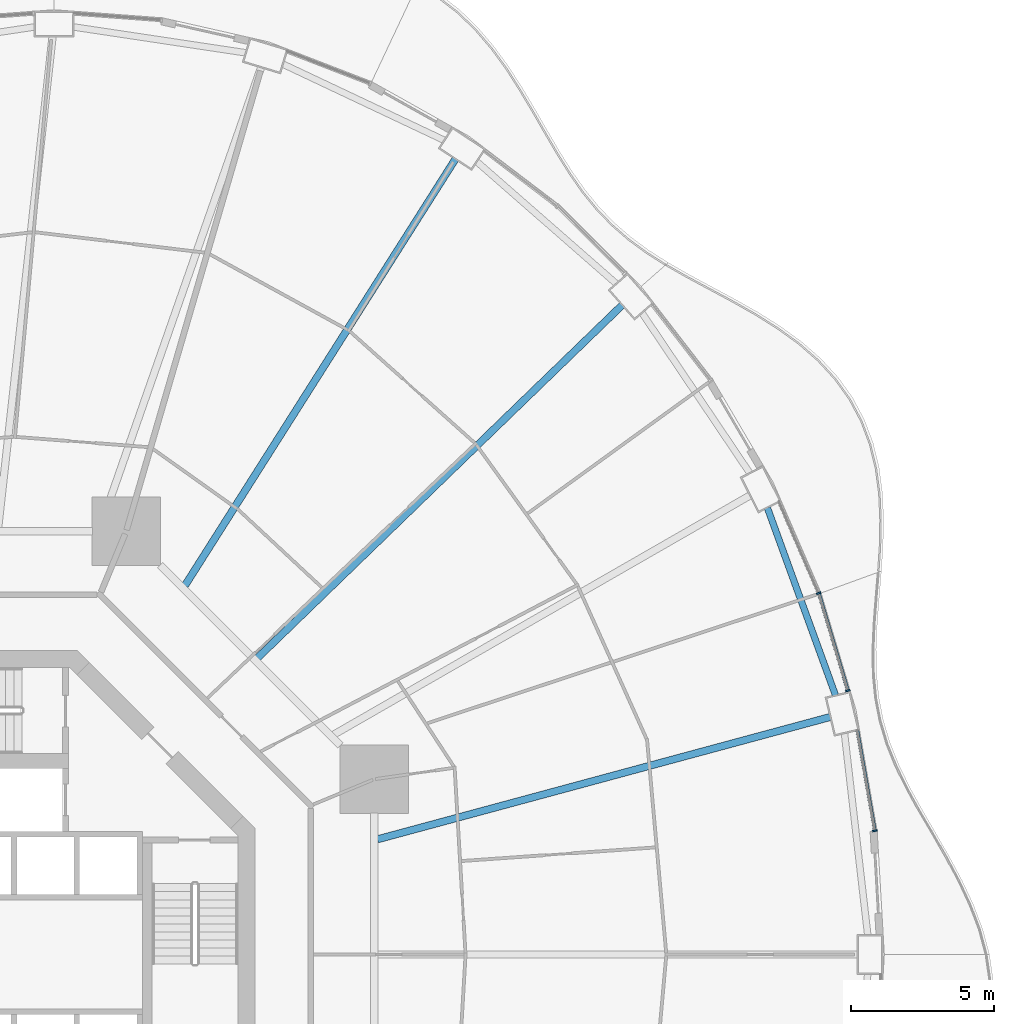
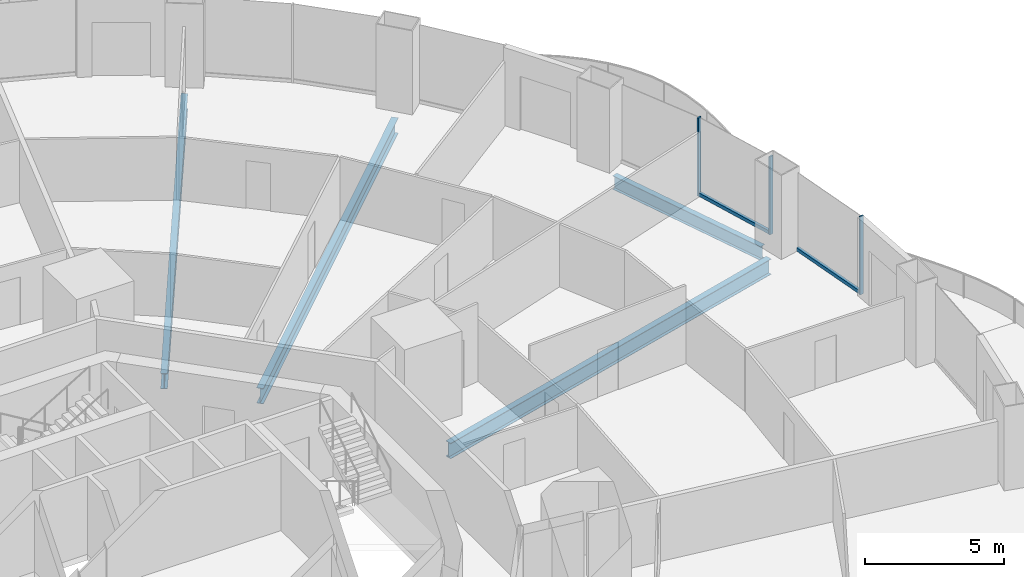
# One storey, part 9 of 22: 5 members, 4 beams, 3 elements without a shape of their own.
"""IFC4 building model written with IfcOpenShell, lengths in metres."""

from ifc_helpers import new_model, si_unit, direction, frame, origin, origin_2d, place, context, subcontext, project, spatial, rectangle, i_section, extrude, material, layer, layer_set, material_profile, profile_set, type_object, element, aggregate, save


model = new_model("IFC4")

# Units and contexts
model_context = context("Model", 3, precision=1e-05, world=origin(), true_north=direction((0.0, 1.0)))
body_context = subcontext(model_context, "Body", "Model", "MODEL_VIEW")
ifc_project = project(units=[si_unit("LENGTHUNIT", "METRE"), si_unit("AREAUNIT", "SQUARE_METRE"), si_unit("VOLUMEUNIT", "CUBIC_METRE"), si_unit("PLANEANGLEUNIT", "RADIAN"), si_unit("MASSUNIT", "GRAM", prefix="KILO")], contexts=[model_context])

# Site, building, storey
site_placement = place(None, origin())
site = spatial("IfcSite", under=ifc_project, at=site_placement, CompositionType="ELEMENT")
building_placement = place(site_placement, origin())
building = spatial("IfcBuilding", under=site, at=building_placement, Name="Nagisa Residences", CompositionType="ELEMENT")
storey_placement = place(building_placement, frame((0.0, 0.0, 34.39990234375)))
storey = spatial("IfcBuildingStorey", under=building, at=storey_placement, Name="L07", CompositionType="ELEMENT", Elevation=34.39990234375)

# Curtain wall, member
ifc_material_1 = material(Name="Concrete-coloured aluminium curtain wall system", Category="concrete")
ifc_layer = layer(ifc_material_1, 0.159912109375)
ifc_layer_set = layer_set([ifc_layer], Name="CW1 CURTAIN WALL")
curtain_wall_type = type_object("IfcCurtainWallType", Name="CW1 CURTAIN WALL", PredefinedType="NOTDEFINED", material=ifc_layer_set)
curtain_wall_1_placement = place(storey_placement, origin())
curtain_wall_1 = element("IfcCurtainWall", 1, at=curtain_wall_1_placement, inside=storey, type_object=curtain_wall_type, Name="cw:CW1:L07:01", PredefinedType="NOTDEFINED")
ifc_material_2 = material(Name="Concrete-coloured aluminium", Category="concrete")
ifc_material_profile_1 = material_profile(ifc_material_2, rectangle(XDim=0.159912109375, YDim=0.06005859375, at=origin_2d()), Name="CW1 MULLION 160x60")
ifc_profile_set_1 = profile_set([ifc_material_profile_1], Name="Concrete-coloured aluminium")
member_type_1 = type_object("IfcMemberType", Name="CW1 MULLION 160x60", PredefinedType="MULLION", material=ifc_profile_set_1)
member_1_placement = place(storey_placement, frame((32.267822265625, 4.3232421875, 0.0), z_axis=(0.0, 0.0, 1.0), x_axis=(-0.985063604377, -0.172190868898, 0.0)))
member_1 = element("IfcMember", 2, at=member_1_placement, type_object=member_type_1, Name="CW1 mullion", PredefinedType="MULLION", context=body_context, shape_type="SweptSolid", body=[
    extrude(rectangle(XDim=0.159912109375, YDim=0.06005859375, at=origin_2d()), origin(), (0.0, 0.0, 1.0), 3.440185546875),
])

curtain_wall_2_placement = place(storey_placement, origin())
curtain_wall_2 = element("IfcCurtainWall", 3, at=curtain_wall_2_placement, inside=storey, type_object=curtain_wall_type, Name="cw:CW1:L07:02", PredefinedType="NOTDEFINED")
member_2_placement = place(storey_placement, frame((31.326416015625, 9.2177734375, 0.0), z_axis=(0.0, 0.0, 1.0), x_axis=(-0.958271310082, -0.285860274038, 0.0)))
member_2 = element("IfcMember", 4, at=member_2_placement, type_object=member_type_1, Name="CW1 mullion", PredefinedType="MULLION", context=body_context, shape_type="SweptSolid", body=[
    extrude(rectangle(XDim=0.159912109375, YDim=0.06005859375, at=origin_2d()), origin(), (0.0, 0.0, 1.0), 3.440185546875),
])

curtain_wall_3_placement = place(storey_placement, origin())
curtain_wall_3 = element("IfcCurtainWall", 5, at=curtain_wall_3_placement, inside=storey, type_object=curtain_wall_type, Name="cw:CW1:L07:03", PredefinedType="NOTDEFINED")
member_3_placement = place(storey_placement, frame((30.30712890625, 12.624267578125, 0.0), z_axis=(0.0, 0.0, 1.0), x_axis=(-0.917543276295, -0.397635934147, 0.0)))
member_3 = element("IfcMember", 6, at=member_3_placement, type_object=member_type_1, Name="CW1 mullion", PredefinedType="MULLION", context=body_context, shape_type="SweptSolid", body=[
    extrude(rectangle(XDim=0.159912109375, YDim=0.06005859375, at=origin_2d()), origin(), (0.0, 0.0, 1.0), 3.440185546875),
])
aggregate(curtain_wall_3, [member_3])

# Member
ifc_material_3 = material(Name="Concrete-coloured aluminium", Category="concrete")
ifc_material_profile_2 = material_profile(ifc_material_3, rectangle(XDim=0.1201171875, YDim=0.14990234375, at=origin_2d()), Name="CW1 TRANSOM 120x150")
ifc_profile_set_2 = profile_set([ifc_material_profile_2], Name="Concrete-coloured aluminium")
member_type_2 = type_object("IfcMemberType", Name="CW1 TRANSOM 120x150", PredefinedType="USERDEFINED", material=ifc_profile_set_2)
member_4_placement = place(storey_placement, frame((32.273193359375, 4.293701171875, 0.0751953125), z_axis=(-0.172228889385, 0.985056957572, 0.0), x_axis=(-0.985056957572, -0.172228889385, 0.0)))
member_4 = element("IfcMember", 7, at=member_4_placement, type_object=member_type_2, Name="CW1 transom", ObjectType="TRANSOM", PredefinedType="USERDEFINED", context=body_context, shape_type="SweptSolid", body=[
    extrude(rectangle(XDim=0.1201171875, YDim=0.14990234375, at=origin_2d()), origin(), (0.0, 0.0, 1.0), 3.59765625),
])

aggregate(curtain_wall_1, [member_1, member_4])

member_5_placement = place(storey_placement, frame((31.335205078125, 9.18896484375, 0.0751953125), z_axis=(-0.285871309426, 0.958268018065, 0.0), x_axis=(-0.958268018065, -0.285871309426, 0.0)))
member_5 = element("IfcMember", 8, at=member_5_placement, type_object=member_type_2, Name="CW1 transom", ObjectType="TRANSOM", PredefinedType="USERDEFINED", context=body_context, shape_type="SweptSolid", body=[
    extrude(rectangle(XDim=0.1201171875, YDim=0.14990234375, at=origin_2d()), origin(), (0.0, 0.0, 1.0), 3.5654296875),
])

aggregate(curtain_wall_2, [member_2, member_5])

# Beams
ifc_material_4 = material(Name="Steel ASTM A572 Gr 50", Category="steel")
ifc_material_profile_3 = material_profile(ifc_material_4, i_section(OverallWidth=0.22802734375, OverallDepth=0.60302734375, WebThickness=0.010498046875, FlangeThickness=0.014892578125, at=origin_2d()), Name="W610x101")
ifc_profile_set_3 = profile_set([ifc_material_profile_3], Name="Steel ASTM A572 Gr 50")
beam_type_1 = type_object("IfcBeamType", Name="Perimeter ring beam W610x101", PredefinedType="BEAM", material=ifc_profile_set_3)
beam_1_placement = place(storey_placement, frame((30.89501953125, 9.055419921875, -0.5615234375), z_axis=(-0.341411143183, 0.939914055279, 0.0), x_axis=(-0.939914055279, -0.341411143183, 0.0)))
element("IfcBeam", 9, at=beam_1_placement, inside=storey, type_object=beam_type_1, Name="beam:L07:pb02", PredefinedType="BEAM", context=body_context, shape_type="SweptSolid", body=[
    extrude(i_section(OverallWidth=0.22802734375, OverallDepth=0.60302734375, WebThickness=0.010498046875, FlangeThickness=0.014892578125, at=origin_2d()), origin(), (0.0, 0.0, 1.0), 6.96923828125),
])
ifc_material_5 = material(Name="Steel ASTM A572 Gr 50", Category="steel")
ifc_material_profile_4 = material_profile(ifc_material_5, i_section(OverallWidth=0.25390625, OverallDepth=0.68408203125, WebThickness=0.012451171875, FlangeThickness=0.018798828125, at=origin_2d()), Name="W690x140")
ifc_profile_set_4 = profile_set([ifc_material_profile_4], Name="Steel ASTM A572 Gr 50")
beam_type_2 = type_object("IfcBeamType", Name="Radial beam W690x140", PredefinedType="BEAM", material=ifc_profile_set_4)
beam_2_placement = place(storey_placement, frame((30.713623046875, 8.29931640625, -0.601806640625), z_axis=(-0.965375968847, -0.260862490162, 0.0), x_axis=(0.260862490162, -0.965375968847, 0.0)))
element("IfcBeam", 10, at=beam_2_placement, inside=storey, type_object=beam_type_2, Name="beam:L07:rb02", PredefinedType="BEAM", context=body_context, shape_type="SweptSolid", body=[
    extrude(i_section(OverallWidth=0.25390625, OverallDepth=0.68408203125, WebThickness=0.012451171875, FlangeThickness=0.018798828125, at=origin_2d()), origin(), (0.0, 0.0, 1.0), 16.3857421875),
])
beam_3_placement = place(storey_placement, frame((23.443115234375, 22.681640625, -0.601806640625), z_axis=(-0.718678305776, -0.695342716081, 0.0), x_axis=(0.695342716081, -0.718678305776, 0.0)))
element("IfcBeam", 11, at=beam_3_placement, inside=storey, type_object=beam_type_2, Name="beam:L07:rb04", PredefinedType="BEAM", context=body_context, shape_type="SweptSolid", body=[
    extrude(i_section(OverallWidth=0.25390625, OverallDepth=0.68408203125, WebThickness=0.012451171875, FlangeThickness=0.018798828125, at=origin_2d()), origin(), (0.0, 0.0, 1.0), 17.722900390625),
])
beam_4_placement = place(storey_placement, frame((17.61962890625, 27.78271484375, -0.601806640625), z_axis=(-0.53556610664, -0.844493306911, 0.0), x_axis=(0.844493306911, -0.53556610664, 0.0)))
element("IfcBeam", 12, at=beam_4_placement, inside=storey, type_object=beam_type_2, Name="beam:L07:rb05", PredefinedType="BEAM", context=body_context, shape_type="SweptSolid", body=[
    extrude(i_section(OverallWidth=0.25390625, OverallDepth=0.68408203125, WebThickness=0.012451171875, FlangeThickness=0.018798828125, at=origin_2d()), origin(), (0.0, 0.0, 1.0), 17.63525390625),
])

save(model, "model.ifc")
